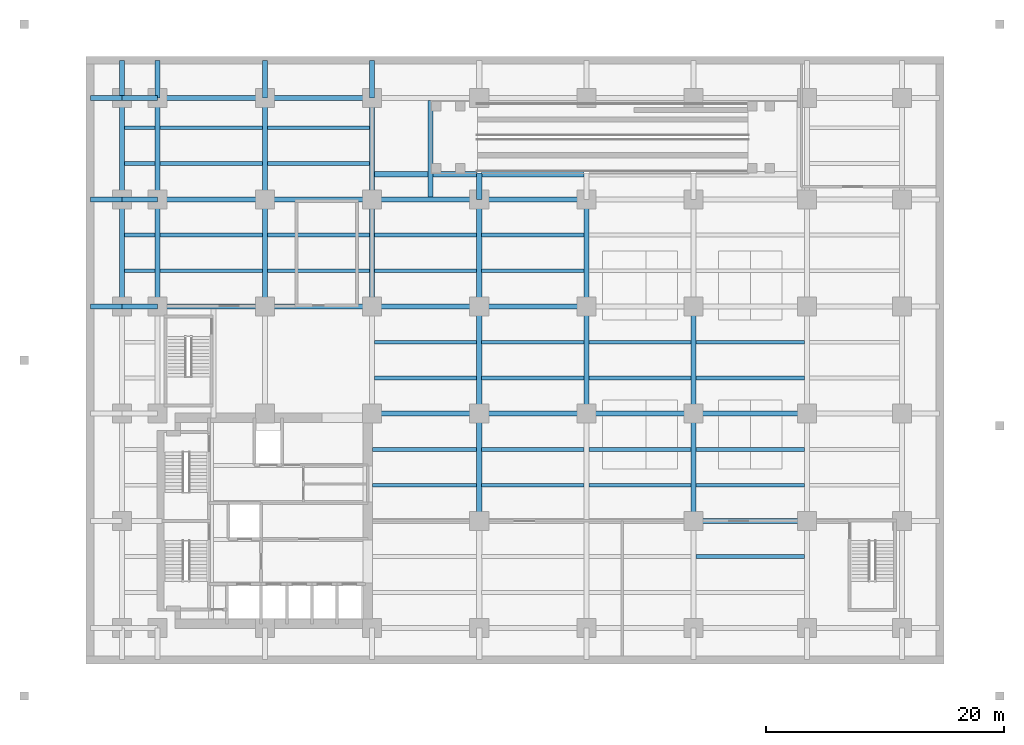
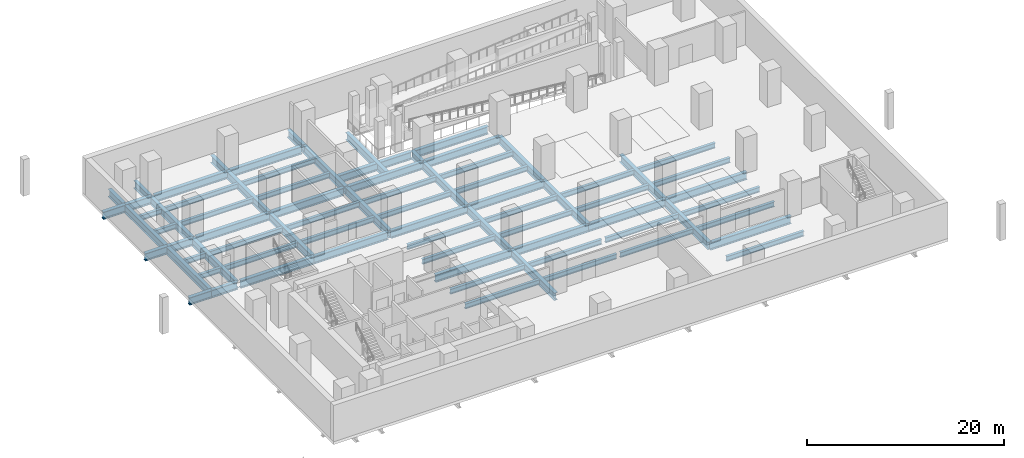
# One storey, part 2 of 10: 77 beams.
"""IFC4 building model written with IfcOpenShell, lengths in metres."""

from ifc_helpers import new_model, si_unit, direction, frame, origin, origin_2d, place, context, subcontext, project, spatial, i_section, extrude, material, material_profile, profile_set, type_object, element, save


model = new_model("IFC4")

# Units and contexts
model_context = context("Model", 3, precision=1e-05, world=origin(), true_north=direction((0.0, 1.0)))
body_context = subcontext(model_context, "Body", "Model", "MODEL_VIEW")
ifc_project = project(units=[si_unit("LENGTHUNIT", "METRE"), si_unit("AREAUNIT", "SQUARE_METRE"), si_unit("VOLUMEUNIT", "CUBIC_METRE"), si_unit("PLANEANGLEUNIT", "RADIAN"), si_unit("MASSUNIT", "GRAM", prefix="KILO")], contexts=[model_context])

# Site, building, storey
site_placement = place(None, origin())
site = spatial("IfcSite", under=ifc_project, at=site_placement, CompositionType="ELEMENT")
building_placement = place(site_placement, origin())
building = spatial("IfcBuilding", under=site, at=building_placement, Name="Mawjdan Bourse Tower", CompositionType="ELEMENT")
storey_placement = place(building_placement, frame((0.0, 0.0, -9.0)))
storey = spatial("IfcBuildingStorey", under=building, at=storey_placement, Name="B02", CompositionType="ELEMENT", Elevation=-9.0)

# Beams
ifc_material_1 = material(Name="Structural Steel S460", Category="steel")
ifc_material_profile_1 = material_profile(ifc_material_1, i_section(OverallWidth=0.423095703125, OverallDepth=0.93994140625, WebThickness=0.02392578125, FlangeThickness=0.042724609375, FilletRadius=0.0341796875, at=origin_2d()), Name="W36X302")
ifc_profile_set_1 = profile_set([ifc_material_profile_1], Name="Structural Steel S460")
beam_type_1 = type_object("IfcBeamType", Name="GRD-W36X302", PredefinedType="BEAM", material=ifc_profile_set_1)
beam_1_placement = place(storey_placement, frame((24.0, 41.10009765625, -0.820068359375), z_axis=(1.0, 0.0, 0.0), x_axis=(0.0, 1.0, 0.0)))
element("IfcBeam", 1, at=beam_1_placement, inside=storey, type_object=beam_type_1, Name="B02 Ramp Opening South Trimmer 002", PredefinedType="BEAM", context=body_context, shape_type="SweptSolid", body=[
    extrude(i_section(OverallWidth=0.423095703125, OverallDepth=0.93994140625, WebThickness=0.02392578125, FlangeThickness=0.042724609375, FilletRadius=0.0341796875, at=origin_2d()), origin(), (0.0, 0.0, 1.0), 8.79052734375),
])
beam_2_placement = place(storey_placement, frame((33.20947265625, 41.10009765625, -0.820068359375), z_axis=(1.0, 0.0, 0.0), x_axis=(0.0, 1.0, 0.0)))
element("IfcBeam", 2, at=beam_2_placement, inside=storey, type_object=beam_type_1, Name="B02 Ramp Opening South Trimmer S2", PredefinedType="BEAM", context=body_context, shape_type="SweptSolid", body=[
    extrude(i_section(OverallWidth=0.423095703125, OverallDepth=0.93994140625, WebThickness=0.02392578125, FlangeThickness=0.042724609375, FilletRadius=0.0341796875, at=origin_2d()), origin(), (0.0, 0.0, 1.0), 8.5810546875),
])
beam_3_placement = place(storey_placement, frame((28.89990234375, 39.20947265625, -0.820068359375), z_axis=(0.0, 1.0, 0.0), x_axis=(-1.0, 0.0, 0.0)))
element("IfcBeam", 3, at=beam_3_placement, inside=storey, type_object=beam_type_1, Name="B02 Ramp Opening West Trimmer 003", PredefinedType="BEAM", context=body_context, shape_type="SweptSolid", body=[
    extrude(i_section(OverallWidth=0.423095703125, OverallDepth=0.93994140625, WebThickness=0.02392578125, FlangeThickness=0.042724609375, FilletRadius=0.0341796875, at=origin_2d()), origin(), (0.0, 0.0, 1.0), 8.0810546875),
])
beam_4_placement = place(storey_placement, frame((3.0, 30.0, -0.820068359375), z_axis=(0.0, 1.0, 0.0), x_axis=(-1.0, 0.0, 0.0)))
element("IfcBeam", 4, at=beam_4_placement, inside=storey, type_object=beam_type_1, Name="B02 Podium Primary Girder 010", PredefinedType="BEAM", context=body_context, shape_type="SweptSolid", body=[
    extrude(i_section(OverallWidth=0.423095703125, OverallDepth=0.93994140625, WebThickness=0.02392578125, FlangeThickness=0.042724609375, FilletRadius=0.0341796875, at=origin_2d()), origin(), (0.0, 0.0, 1.0), 9.0),
])
beam_5_placement = place(storey_placement, frame((3.0, 39.0, -0.820068359375), z_axis=(0.0, 1.0, 0.0), x_axis=(-1.0, 0.0, 0.0)))
element("IfcBeam", 5, at=beam_5_placement, inside=storey, type_object=beam_type_1, Name="B02 Podium Primary Girder 011", PredefinedType="BEAM", context=body_context, shape_type="SweptSolid", body=[
    extrude(i_section(OverallWidth=0.423095703125, OverallDepth=0.93994140625, WebThickness=0.02392578125, FlangeThickness=0.042724609375, FilletRadius=0.0341796875, at=origin_2d()), origin(), (0.0, 0.0, 1.0), 8.5),
])
beam_6_placement = place(storey_placement, frame((3.0, 47.5, -0.820068359375), z_axis=(0.0, 1.0, 0.0), x_axis=(-1.0, 0.0, 0.0)))
element("IfcBeam", 6, at=beam_6_placement, inside=storey, type_object=beam_type_1, Name="B02 Podium Primary Girder 012", PredefinedType="BEAM", context=body_context, shape_type="SweptSolid", body=[
    extrude(i_section(OverallWidth=0.423095703125, OverallDepth=0.93994140625, WebThickness=0.02392578125, FlangeThickness=0.042724609375, FilletRadius=0.0341796875, at=origin_2d()), origin(), (0.0, 0.0, 1.0), 3.14990234375),
])
beam_7_placement = place(storey_placement, frame((6.0, 30.0, -0.820068359375), z_axis=(0.0, 1.0, 0.0), x_axis=(-1.0, 0.0, 0.0)))
element("IfcBeam", 7, at=beam_7_placement, inside=storey, type_object=beam_type_1, Name="B02 Podium Primary Girder 015", PredefinedType="BEAM", context=body_context, shape_type="SweptSolid", body=[
    extrude(i_section(OverallWidth=0.423095703125, OverallDepth=0.93994140625, WebThickness=0.02392578125, FlangeThickness=0.042724609375, FilletRadius=0.0341796875, at=origin_2d()), origin(), (0.0, 0.0, 1.0), 9.0),
])
beam_8_placement = place(storey_placement, frame((6.0, 39.0, -0.820068359375), z_axis=(0.0, 1.0, 0.0), x_axis=(-1.0, 0.0, 0.0)))
element("IfcBeam", 8, at=beam_8_placement, inside=storey, type_object=beam_type_1, Name="B02 Podium Primary Girder 016", PredefinedType="BEAM", context=body_context, shape_type="SweptSolid", body=[
    extrude(i_section(OverallWidth=0.423095703125, OverallDepth=0.93994140625, WebThickness=0.02392578125, FlangeThickness=0.042724609375, FilletRadius=0.0341796875, at=origin_2d()), origin(), (0.0, 0.0, 1.0), 8.5),
])
beam_9_placement = place(storey_placement, frame((6.0, 47.5, -0.820068359375), z_axis=(0.0, 1.0, 0.0), x_axis=(-1.0, 0.0, 0.0)))
element("IfcBeam", 9, at=beam_9_placement, inside=storey, type_object=beam_type_1, Name="B02 Podium Primary Girder 017", PredefinedType="BEAM", context=body_context, shape_type="SweptSolid", body=[
    extrude(i_section(OverallWidth=0.423095703125, OverallDepth=0.93994140625, WebThickness=0.02392578125, FlangeThickness=0.042724609375, FilletRadius=0.0341796875, at=origin_2d()), origin(), (0.0, 0.0, 1.0), 3.14990234375),
])
beam_10_placement = place(storey_placement, frame((15.0, 30.0, -0.820068359375), z_axis=(0.0, 1.0, 0.0), x_axis=(-1.0, 0.0, 0.0)))
element("IfcBeam", 10, at=beam_10_placement, inside=storey, type_object=beam_type_1, Name="B02 Podium Primary Girder 020", PredefinedType="BEAM", context=body_context, shape_type="SweptSolid", body=[
    extrude(i_section(OverallWidth=0.423095703125, OverallDepth=0.93994140625, WebThickness=0.02392578125, FlangeThickness=0.042724609375, FilletRadius=0.0341796875, at=origin_2d()), origin(), (0.0, 0.0, 1.0), 9.0),
])
beam_11_placement = place(storey_placement, frame((15.0, 39.0, -0.820068359375), z_axis=(0.0, 1.0, 0.0), x_axis=(-1.0, 0.0, 0.0)))
element("IfcBeam", 11, at=beam_11_placement, inside=storey, type_object=beam_type_1, Name="B02 Podium Primary Girder 021", PredefinedType="BEAM", context=body_context, shape_type="SweptSolid", body=[
    extrude(i_section(OverallWidth=0.423095703125, OverallDepth=0.93994140625, WebThickness=0.02392578125, FlangeThickness=0.042724609375, FilletRadius=0.0341796875, at=origin_2d()), origin(), (0.0, 0.0, 1.0), 8.5),
])
beam_12_placement = place(storey_placement, frame((15.0, 47.5, -0.820068359375), z_axis=(0.0, 1.0, 0.0), x_axis=(-1.0, 0.0, 0.0)))
element("IfcBeam", 12, at=beam_12_placement, inside=storey, type_object=beam_type_1, Name="B02 Podium Primary Girder 022", PredefinedType="BEAM", context=body_context, shape_type="SweptSolid", body=[
    extrude(i_section(OverallWidth=0.423095703125, OverallDepth=0.93994140625, WebThickness=0.02392578125, FlangeThickness=0.042724609375, FilletRadius=0.0341796875, at=origin_2d()), origin(), (0.0, 0.0, 1.0), 3.14990234375),
])
beam_13_placement = place(storey_placement, frame((24.0, 30.0, -0.820068359375), z_axis=(0.0, 1.0, 0.0), x_axis=(-1.0, 0.0, 0.0)))
element("IfcBeam", 13, at=beam_13_placement, inside=storey, type_object=beam_type_1, Name="B02 Podium Primary Girder 025", PredefinedType="BEAM", context=body_context, shape_type="SweptSolid", body=[
    extrude(i_section(OverallWidth=0.423095703125, OverallDepth=0.93994140625, WebThickness=0.02392578125, FlangeThickness=0.042724609375, FilletRadius=0.0341796875, at=origin_2d()), origin(), (0.0, 0.0, 1.0), 9.0),
])
beam_14_placement = place(storey_placement, frame((24.0, 39.0, -0.820068359375), z_axis=(0.0, 1.0, 0.0), x_axis=(-1.0, 0.0, 0.0)))
element("IfcBeam", 14, at=beam_14_placement, inside=storey, type_object=beam_type_1, Name="B02 Podium Primary Girder 026", PredefinedType="BEAM", context=body_context, shape_type="SweptSolid", body=[
    extrude(i_section(OverallWidth=0.423095703125, OverallDepth=0.93994140625, WebThickness=0.02392578125, FlangeThickness=0.042724609375, FilletRadius=0.0341796875, at=origin_2d()), origin(), (0.0, 0.0, 1.0), 8.5),
])
beam_15_placement = place(storey_placement, frame((24.0, 47.5, -0.820068359375), z_axis=(0.0, 1.0, 0.0), x_axis=(-1.0, 0.0, 0.0)))
element("IfcBeam", 15, at=beam_15_placement, inside=storey, type_object=beam_type_1, Name="B02 Podium Primary Girder 027", PredefinedType="BEAM", context=body_context, shape_type="SweptSolid", body=[
    extrude(i_section(OverallWidth=0.423095703125, OverallDepth=0.93994140625, WebThickness=0.02392578125, FlangeThickness=0.042724609375, FilletRadius=0.0341796875, at=origin_2d()), origin(), (0.0, 0.0, 1.0), 3.14990234375),
])
for number, where, z_axis, x_axis, name in (
    (16, (33.0, 12.0, -0.820068359375), (0.0, 1.0, 0.0), (-1.0, 0.0, 0.0), "B02 Podium Primary Girder 030"),
    (17, (33.0, 21.0, -0.820068359375), (0.0, 1.0, 0.0), (-1.0, 0.0, 0.0), "B02 Podium Primary Girder 031"),
    (18, (33.0, 30.0, -0.820068359375), (0.0, 1.0, 0.0), (-1.0, 0.0, 0.0), "B02 Podium Primary Girder 032"),
):
    element("IfcBeam", number, at=place(storey_placement, frame(where, z_axis=z_axis, x_axis=x_axis)), inside=storey, type_object=beam_type_1, Name=name, PredefinedType="BEAM", context=body_context, shape_type="SweptSolid", body=[
        extrude(i_section(OverallWidth=0.423095703125, OverallDepth=0.93994140625, WebThickness=0.02392578125, FlangeThickness=0.042724609375, FilletRadius=0.0341796875, at=origin_2d()), origin(), (0.0, 0.0, 1.0), 9.0),
    ])
beam_16_placement = place(storey_placement, frame((33.0, 39.0, -0.820068359375), z_axis=(0.0, 1.0, 0.0), x_axis=(-1.0, 0.0, 0.0)))
element("IfcBeam", 19, at=beam_16_placement, inside=storey, type_object=beam_type_1, Name="B02 Podium Primary Girder 033", PredefinedType="BEAM", context=body_context, shape_type="SweptSolid", body=[
    extrude(i_section(OverallWidth=0.423095703125, OverallDepth=0.93994140625, WebThickness=0.02392578125, FlangeThickness=0.042724609375, FilletRadius=0.0341796875, at=origin_2d()), origin(), (0.0, 0.0, 1.0), 2.199951171875),
])
for number, where, z_axis, x_axis, name in (
    (20, (42.0, 21.0, -0.820068359375), (0.0, 1.0, 0.0), (-1.0, 0.0, 0.0), "B02 Podium Primary Girder 037"),
    (21, (42.0, 30.0, -0.820068359375), (0.0, 1.0, 0.0), (-1.0, 0.0, 0.0), "B02 Podium Primary Girder 038"),
    (22, (51.0, 12.0, -0.820068359375), (0.0, 1.0, 0.0), (-1.0, 0.0, 0.0), "B02 Podium Primary Girder 043"),
    (23, (51.0, 21.0, -0.820068359375), (0.0, 1.0, 0.0), (-1.0, 0.0, 0.0), "B02 Podium Primary Girder 044"),
):
    element("IfcBeam", number, at=place(storey_placement, frame(where, z_axis=z_axis, x_axis=x_axis)), inside=storey, type_object=beam_type_1, Name=name, PredefinedType="BEAM", context=body_context, shape_type="SweptSolid", body=[
        extrude(i_section(OverallWidth=0.423095703125, OverallDepth=0.93994140625, WebThickness=0.02392578125, FlangeThickness=0.042724609375, FilletRadius=0.0341796875, at=origin_2d()), origin(), (0.0, 0.0, 1.0), 9.0),
    ])
beam_17_placement = place(storey_placement, frame((51.0, 12.0, -0.820068359375), z_axis=(1.0, 0.0, 0.0), x_axis=(0.0, 1.0, 0.0)))
element("IfcBeam", 24, at=beam_17_placement, inside=storey, type_object=beam_type_1, Name="B02 Podium Tie Girder 074", PredefinedType="BEAM", context=body_context, shape_type="SweptSolid", body=[
    extrude(i_section(OverallWidth=0.423095703125, OverallDepth=0.93994140625, WebThickness=0.02392578125, FlangeThickness=0.042724609375, FilletRadius=0.0341796875, at=origin_2d()), origin(), (0.0, 0.0, 1.0), 9.5),
])
for number, where, z_axis, x_axis, name in (
    (25, (24.0, 21.0, -0.820068359375), (1.0, 0.0, 0.0), (0.0, 1.0, 0.0), "B02 Podium Tie Girder 079"),
    (26, (33.0, 21.0, -0.820068359375), (1.0, 0.0, 0.0), (0.0, 1.0, 0.0), "B02 Podium Tie Girder 080"),
    (27, (42.0, 21.0, -0.820068359375), (1.0, 0.0, 0.0), (0.0, 1.0, 0.0), "B02 Podium Tie Girder 081"),
):
    element("IfcBeam", number, at=place(storey_placement, frame(where, z_axis=z_axis, x_axis=x_axis)), inside=storey, type_object=beam_type_1, Name=name, PredefinedType="BEAM", context=body_context, shape_type="SweptSolid", body=[
        extrude(i_section(OverallWidth=0.423095703125, OverallDepth=0.93994140625, WebThickness=0.02392578125, FlangeThickness=0.042724609375, FilletRadius=0.0341796875, at=origin_2d()), origin(), (0.0, 0.0, 1.0), 9.0),
    ])
beam_18_placement = place(storey_placement, frame((51.0, 21.0, -0.820068359375), z_axis=(1.0, 0.0, 0.0), x_axis=(0.0, 1.0, 0.0)))
element("IfcBeam", 28, at=beam_18_placement, inside=storey, type_object=beam_type_1, Name="B02 Podium Tie Girder 082", PredefinedType="BEAM", context=body_context, shape_type="SweptSolid", body=[
    extrude(i_section(OverallWidth=0.423095703125, OverallDepth=0.93994140625, WebThickness=0.02392578125, FlangeThickness=0.042724609375, FilletRadius=0.0341796875, at=origin_2d()), origin(), (0.0, 0.0, 1.0), 9.5),
])
beam_19_placement = place(storey_placement, frame((0.35009765625, 30.0, -0.820068359375), z_axis=(1.0, 0.0, 0.0), x_axis=(0.0, 1.0, 0.0)))
element("IfcBeam", 29, at=beam_19_placement, inside=storey, type_object=beam_type_1, Name="B02 Podium Tie Girder 085", PredefinedType="BEAM", context=body_context, shape_type="SweptSolid", body=[
    extrude(i_section(OverallWidth=0.423095703125, OverallDepth=0.93994140625, WebThickness=0.02392578125, FlangeThickness=0.042724609375, FilletRadius=0.0341796875, at=origin_2d()), origin(), (0.0, 0.0, 1.0), 2.64990234375),
])
beam_20_placement = place(storey_placement, frame((3.0, 30.0, -0.820068359375), z_axis=(1.0, 0.0, 0.0), x_axis=(0.0, 1.0, 0.0)))
element("IfcBeam", 30, at=beam_20_placement, inside=storey, type_object=beam_type_1, Name="B02 Podium Tie Girder 086", PredefinedType="BEAM", context=body_context, shape_type="SweptSolid", body=[
    extrude(i_section(OverallWidth=0.423095703125, OverallDepth=0.93994140625, WebThickness=0.02392578125, FlangeThickness=0.042724609375, FilletRadius=0.0341796875, at=origin_2d()), origin(), (0.0, 0.0, 1.0), 3.0),
])
for number, where, z_axis, x_axis, name in (
    (31, (6.35009765625, 30.0, -0.820068359375), (1.0, 0.0, 0.0), (0.0, 1.0, 0.0), "B02 Podium Tie Girder 087"),
    (32, (15.0, 30.0, -0.820068359375), (1.0, 0.0, 0.0), (0.0, 1.0, 0.0), "B02 Podium Tie Girder 088"),
):
    element("IfcBeam", number, at=place(storey_placement, frame(where, z_axis=z_axis, x_axis=x_axis)), inside=storey, type_object=beam_type_1, Name=name, PredefinedType="BEAM", context=body_context, shape_type="SweptSolid", body=[
        extrude(i_section(OverallWidth=0.423095703125, OverallDepth=0.93994140625, WebThickness=0.02392578125, FlangeThickness=0.042724609375, FilletRadius=0.0341796875, at=origin_2d()), origin(), (0.0, 0.0, 1.0), 8.64990234375),
    ])
for number, where, z_axis, x_axis, name in (
    (33, (24.0, 30.0, -0.820068359375), (1.0, 0.0, 0.0), (0.0, 1.0, 0.0), "B02 Podium Tie Girder 089"),
    (34, (33.0, 30.0, -0.820068359375), (1.0, 0.0, 0.0), (0.0, 1.0, 0.0), "B02 Podium Tie Girder 090"),
):
    element("IfcBeam", number, at=place(storey_placement, frame(where, z_axis=z_axis, x_axis=x_axis)), inside=storey, type_object=beam_type_1, Name=name, PredefinedType="BEAM", context=body_context, shape_type="SweptSolid", body=[
        extrude(i_section(OverallWidth=0.423095703125, OverallDepth=0.93994140625, WebThickness=0.02392578125, FlangeThickness=0.042724609375, FilletRadius=0.0341796875, at=origin_2d()), origin(), (0.0, 0.0, 1.0), 9.0),
    ])
beam_21_placement = place(storey_placement, frame((0.35009765625, 39.0, -0.820068359375), z_axis=(1.0, 0.0, 0.0), x_axis=(0.0, 1.0, 0.0)))
element("IfcBeam", 35, at=beam_21_placement, inside=storey, type_object=beam_type_1, Name="B02 Podium Tie Girder 095", PredefinedType="BEAM", context=body_context, shape_type="SweptSolid", body=[
    extrude(i_section(OverallWidth=0.423095703125, OverallDepth=0.93994140625, WebThickness=0.02392578125, FlangeThickness=0.042724609375, FilletRadius=0.0341796875, at=origin_2d()), origin(), (0.0, 0.0, 1.0), 2.64990234375),
])
beam_22_placement = place(storey_placement, frame((3.0, 39.0, -0.820068359375), z_axis=(1.0, 0.0, 0.0), x_axis=(0.0, 1.0, 0.0)))
element("IfcBeam", 36, at=beam_22_placement, inside=storey, type_object=beam_type_1, Name="B02 Podium Tie Girder 096", PredefinedType="BEAM", context=body_context, shape_type="SweptSolid", body=[
    extrude(i_section(OverallWidth=0.423095703125, OverallDepth=0.93994140625, WebThickness=0.02392578125, FlangeThickness=0.042724609375, FilletRadius=0.0341796875, at=origin_2d()), origin(), (0.0, 0.0, 1.0), 3.0),
])
for number, where, z_axis, x_axis, name in (
    (37, (6.35009765625, 39.0, -0.820068359375), (1.0, 0.0, 0.0), (0.0, 1.0, 0.0), "B02 Podium Tie Girder 097"),
    (38, (15.0, 39.0, -0.820068359375), (1.0, 0.0, 0.0), (0.0, 1.0, 0.0), "B02 Podium Tie Girder 098"),
):
    element("IfcBeam", number, at=place(storey_placement, frame(where, z_axis=z_axis, x_axis=x_axis)), inside=storey, type_object=beam_type_1, Name=name, PredefinedType="BEAM", context=body_context, shape_type="SweptSolid", body=[
        extrude(i_section(OverallWidth=0.423095703125, OverallDepth=0.93994140625, WebThickness=0.02392578125, FlangeThickness=0.042724609375, FilletRadius=0.0341796875, at=origin_2d()), origin(), (0.0, 0.0, 1.0), 8.64990234375),
    ])
for number, where, z_axis, x_axis, name in (
    (39, (24.0, 39.0, -0.820068359375), (1.0, 0.0, 0.0), (0.0, 1.0, 0.0), "B02 Podium Tie Girder 099"),
    (40, (33.0, 39.0, -0.820068359375), (1.0, 0.0, 0.0), (0.0, 1.0, 0.0), "B02 Podium Tie Girder 100"),
):
    element("IfcBeam", number, at=place(storey_placement, frame(where, z_axis=z_axis, x_axis=x_axis)), inside=storey, type_object=beam_type_1, Name=name, PredefinedType="BEAM", context=body_context, shape_type="SweptSolid", body=[
        extrude(i_section(OverallWidth=0.423095703125, OverallDepth=0.93994140625, WebThickness=0.02392578125, FlangeThickness=0.042724609375, FilletRadius=0.0341796875, at=origin_2d()), origin(), (0.0, 0.0, 1.0), 9.0),
    ])
beam_23_placement = place(storey_placement, frame((0.35009765625, 47.5, -0.820068359375), z_axis=(1.0, 0.0, 0.0), x_axis=(0.0, 1.0, 0.0)))
element("IfcBeam", 41, at=beam_23_placement, inside=storey, type_object=beam_type_1, Name="B02 Podium Tie Girder 105", PredefinedType="BEAM", context=body_context, shape_type="SweptSolid", body=[
    extrude(i_section(OverallWidth=0.423095703125, OverallDepth=0.93994140625, WebThickness=0.02392578125, FlangeThickness=0.042724609375, FilletRadius=0.0341796875, at=origin_2d()), origin(), (0.0, 0.0, 1.0), 2.64990234375),
])
beam_24_placement = place(storey_placement, frame((3.0, 47.5, -0.820068359375), z_axis=(1.0, 0.0, 0.0), x_axis=(0.0, 1.0, 0.0)))
element("IfcBeam", 42, at=beam_24_placement, inside=storey, type_object=beam_type_1, Name="B02 Podium Tie Girder 106", PredefinedType="BEAM", context=body_context, shape_type="SweptSolid", body=[
    extrude(i_section(OverallWidth=0.423095703125, OverallDepth=0.93994140625, WebThickness=0.02392578125, FlangeThickness=0.042724609375, FilletRadius=0.0341796875, at=origin_2d()), origin(), (0.0, 0.0, 1.0), 3.0),
])
for number, where, z_axis, x_axis, name in (
    (43, (6.35009765625, 47.5, -0.820068359375), (1.0, 0.0, 0.0), (0.0, 1.0, 0.0), "B02 Podium Tie Girder 107"),
    (44, (15.0, 47.5, -0.820068359375), (1.0, 0.0, 0.0), (0.0, 1.0, 0.0), "B02 Podium Tie Girder 108"),
):
    element("IfcBeam", number, at=place(storey_placement, frame(where, z_axis=z_axis, x_axis=x_axis)), inside=storey, type_object=beam_type_1, Name=name, PredefinedType="BEAM", context=body_context, shape_type="SweptSolid", body=[
        extrude(i_section(OverallWidth=0.423095703125, OverallDepth=0.93994140625, WebThickness=0.02392578125, FlangeThickness=0.042724609375, FilletRadius=0.0341796875, at=origin_2d()), origin(), (0.0, 0.0, 1.0), 8.64990234375),
    ])
ifc_material_2 = material(Name="Structural Steel S355", Category="steel")
ifc_material_profile_2 = material_profile(ifc_material_2, i_section(OverallWidth=0.324951171875, OverallDepth=0.616943359375, WebThickness=0.013916015625, FlangeThickness=0.021484375, FilletRadius=0.017333984375, at=origin_2d()), Name="W24X117")
ifc_profile_set_2 = profile_set([ifc_material_profile_2], Name="Structural Steel S355")
beam_type_2 = type_object("IfcBeamType", Name="JST-W24X117", PredefinedType="JOIST", material=ifc_profile_set_2)
beam_25_placement = place(storey_placement, frame((51.20947265625, 9.0, -0.658447265625), z_axis=(1.0, 0.0, 0.0), x_axis=(0.0, 1.0, 0.0)))
element("IfcBeam", 45, at=beam_25_placement, inside=storey, type_object=beam_type_2, Name="B02 Composite Floor Joist 124", PredefinedType="JOIST", context=body_context, shape_type="SweptSolid", body=[
    extrude(i_section(OverallWidth=0.324951171875, OverallDepth=0.616943359375, WebThickness=0.013916015625, FlangeThickness=0.021484375, FilletRadius=0.017333984375, at=origin_2d()), origin(), (0.0, 0.0, 1.0), 9.0810546875),
])
beam_26_placement = place(storey_placement, frame((24.0400390625, 15.0, -0.658447265625), z_axis=(1.0, 0.0, 0.0), x_axis=(0.0, 1.0, 0.0)))
element("IfcBeam", 46, at=beam_26_placement, inside=storey, type_object=beam_type_2, Name="B02 Composite Floor Joist 126", PredefinedType="JOIST", context=body_context, shape_type="SweptSolid", body=[
    extrude(i_section(OverallWidth=0.324951171875, OverallDepth=0.616943359375, WebThickness=0.013916015625, FlangeThickness=0.021484375, FilletRadius=0.017333984375, at=origin_2d()), origin(), (0.0, 0.0, 1.0), 8.75048828125),
])
for number, where, z_axis, x_axis, name in (
    (47, (33.20947265625, 15.0, -0.658447265625), (1.0, 0.0, 0.0), (0.0, 1.0, 0.0), "B02 Composite Floor Joist 127"),
    (48, (42.20947265625, 15.0, -0.658447265625), (1.0, 0.0, 0.0), (0.0, 1.0, 0.0), "B02 Composite Floor Joist 128"),
):
    element("IfcBeam", number, at=place(storey_placement, frame(where, z_axis=z_axis, x_axis=x_axis)), inside=storey, type_object=beam_type_2, Name=name, PredefinedType="JOIST", context=body_context, shape_type="SweptSolid", body=[
        extrude(i_section(OverallWidth=0.324951171875, OverallDepth=0.616943359375, WebThickness=0.013916015625, FlangeThickness=0.021484375, FilletRadius=0.017333984375, at=origin_2d()), origin(), (0.0, 0.0, 1.0), 8.5810546875),
    ])
beam_27_placement = place(storey_placement, frame((51.20947265625, 15.0, -0.658447265625), z_axis=(1.0, 0.0, 0.0), x_axis=(0.0, 1.0, 0.0)))
element("IfcBeam", 49, at=beam_27_placement, inside=storey, type_object=beam_type_2, Name="B02 Composite Floor Joist 129", PredefinedType="JOIST", context=body_context, shape_type="SweptSolid", body=[
    extrude(i_section(OverallWidth=0.324951171875, OverallDepth=0.616943359375, WebThickness=0.013916015625, FlangeThickness=0.021484375, FilletRadius=0.017333984375, at=origin_2d()), origin(), (0.0, 0.0, 1.0), 9.0810546875),
])
beam_28_placement = place(storey_placement, frame((24.0400390625, 18.0, -0.658447265625), z_axis=(1.0, 0.0, 0.0), x_axis=(0.0, 1.0, 0.0)))
element("IfcBeam", 50, at=beam_28_placement, inside=storey, type_object=beam_type_2, Name="B02 Composite Floor Joist 132", PredefinedType="JOIST", context=body_context, shape_type="SweptSolid", body=[
    extrude(i_section(OverallWidth=0.324951171875, OverallDepth=0.616943359375, WebThickness=0.013916015625, FlangeThickness=0.021484375, FilletRadius=0.017333984375, at=origin_2d()), origin(), (0.0, 0.0, 1.0), 8.75048828125),
])
for number, where, z_axis, x_axis, name in (
    (51, (33.20947265625, 18.0, -0.658447265625), (1.0, 0.0, 0.0), (0.0, 1.0, 0.0), "B02 Composite Floor Joist 133"),
    (52, (42.20947265625, 18.0, -0.658447265625), (1.0, 0.0, 0.0), (0.0, 1.0, 0.0), "B02 Composite Floor Joist 134"),
):
    element("IfcBeam", number, at=place(storey_placement, frame(where, z_axis=z_axis, x_axis=x_axis)), inside=storey, type_object=beam_type_2, Name=name, PredefinedType="JOIST", context=body_context, shape_type="SweptSolid", body=[
        extrude(i_section(OverallWidth=0.324951171875, OverallDepth=0.616943359375, WebThickness=0.013916015625, FlangeThickness=0.021484375, FilletRadius=0.017333984375, at=origin_2d()), origin(), (0.0, 0.0, 1.0), 8.5810546875),
    ])
beam_29_placement = place(storey_placement, frame((51.20947265625, 18.0, -0.658447265625), z_axis=(1.0, 0.0, 0.0), x_axis=(0.0, 1.0, 0.0)))
element("IfcBeam", 53, at=beam_29_placement, inside=storey, type_object=beam_type_2, Name="B02 Composite Floor Joist 135", PredefinedType="JOIST", context=body_context, shape_type="SweptSolid", body=[
    extrude(i_section(OverallWidth=0.324951171875, OverallDepth=0.616943359375, WebThickness=0.013916015625, FlangeThickness=0.021484375, FilletRadius=0.017333984375, at=origin_2d()), origin(), (0.0, 0.0, 1.0), 9.0810546875),
])
for number, where, z_axis, x_axis, name in (
    (54, (24.20947265625, 24.0, -0.658447265625), (1.0, 0.0, 0.0), (0.0, 1.0, 0.0), "B02 Composite Floor Joist 138"),
    (55, (33.20947265625, 24.0, -0.658447265625), (1.0, 0.0, 0.0), (0.0, 1.0, 0.0), "B02 Composite Floor Joist 139"),
    (56, (42.20947265625, 24.0, -0.658447265625), (1.0, 0.0, 0.0), (0.0, 1.0, 0.0), "B02 Composite Floor Joist 140"),
):
    element("IfcBeam", number, at=place(storey_placement, frame(where, z_axis=z_axis, x_axis=x_axis)), inside=storey, type_object=beam_type_2, Name=name, PredefinedType="JOIST", context=body_context, shape_type="SweptSolid", body=[
        extrude(i_section(OverallWidth=0.324951171875, OverallDepth=0.616943359375, WebThickness=0.013916015625, FlangeThickness=0.021484375, FilletRadius=0.017333984375, at=origin_2d()), origin(), (0.0, 0.0, 1.0), 8.5810546875),
    ])
beam_30_placement = place(storey_placement, frame((51.20947265625, 24.0, -0.658447265625), z_axis=(1.0, 0.0, 0.0), x_axis=(0.0, 1.0, 0.0)))
element("IfcBeam", 57, at=beam_30_placement, inside=storey, type_object=beam_type_2, Name="B02 Composite Floor Joist 141", PredefinedType="JOIST", context=body_context, shape_type="SweptSolid", body=[
    extrude(i_section(OverallWidth=0.324951171875, OverallDepth=0.616943359375, WebThickness=0.013916015625, FlangeThickness=0.021484375, FilletRadius=0.017333984375, at=origin_2d()), origin(), (0.0, 0.0, 1.0), 9.0810546875),
])
for number, where, z_axis, x_axis, name in (
    (58, (24.20947265625, 27.0, -0.658447265625), (1.0, 0.0, 0.0), (0.0, 1.0, 0.0), "B02 Composite Floor Joist 144"),
    (59, (33.20947265625, 27.0, -0.658447265625), (1.0, 0.0, 0.0), (0.0, 1.0, 0.0), "B02 Composite Floor Joist 145"),
    (60, (42.20947265625, 27.0, -0.658447265625), (1.0, 0.0, 0.0), (0.0, 1.0, 0.0), "B02 Composite Floor Joist 146"),
):
    element("IfcBeam", number, at=place(storey_placement, frame(where, z_axis=z_axis, x_axis=x_axis)), inside=storey, type_object=beam_type_2, Name=name, PredefinedType="JOIST", context=body_context, shape_type="SweptSolid", body=[
        extrude(i_section(OverallWidth=0.324951171875, OverallDepth=0.616943359375, WebThickness=0.013916015625, FlangeThickness=0.021484375, FilletRadius=0.017333984375, at=origin_2d()), origin(), (0.0, 0.0, 1.0), 8.5810546875),
    ])
beam_31_placement = place(storey_placement, frame((51.20947265625, 27.0, -0.658447265625), z_axis=(1.0, 0.0, 0.0), x_axis=(0.0, 1.0, 0.0)))
element("IfcBeam", 61, at=beam_31_placement, inside=storey, type_object=beam_type_2, Name="B02 Composite Floor Joist 147", PredefinedType="JOIST", context=body_context, shape_type="SweptSolid", body=[
    extrude(i_section(OverallWidth=0.324951171875, OverallDepth=0.616943359375, WebThickness=0.013916015625, FlangeThickness=0.021484375, FilletRadius=0.017333984375, at=origin_2d()), origin(), (0.0, 0.0, 1.0), 9.0810546875),
])
beam_32_placement = place(storey_placement, frame((3.20947265625, 33.0, -0.658447265625), z_axis=(1.0, 0.0, 0.0), x_axis=(0.0, 1.0, 0.0)))
element("IfcBeam", 62, at=beam_32_placement, inside=storey, type_object=beam_type_2, Name="B02 Composite Floor Joist 149", PredefinedType="JOIST", context=body_context, shape_type="SweptSolid", body=[
    extrude(i_section(OverallWidth=0.324951171875, OverallDepth=0.616943359375, WebThickness=0.013916015625, FlangeThickness=0.021484375, FilletRadius=0.017333984375, at=origin_2d()), origin(), (0.0, 0.0, 1.0), 2.5810546875),
])
for number, where, z_axis, x_axis, name in (
    (63, (6.20947265625, 33.0, -0.658447265625), (1.0, 0.0, 0.0), (0.0, 1.0, 0.0), "B02 Composite Floor Joist 150"),
    (64, (15.20947265625, 33.0, -0.658447265625), (1.0, 0.0, 0.0), (0.0, 1.0, 0.0), "B02 Composite Floor Joist 151"),
    (65, (24.20947265625, 33.0, -0.658447265625), (1.0, 0.0, 0.0), (0.0, 1.0, 0.0), "B02 Composite Floor Joist 152"),
    (66, (33.20947265625, 33.0, -0.658447265625), (1.0, 0.0, 0.0), (0.0, 1.0, 0.0), "B02 Composite Floor Joist 153"),
):
    element("IfcBeam", number, at=place(storey_placement, frame(where, z_axis=z_axis, x_axis=x_axis)), inside=storey, type_object=beam_type_2, Name=name, PredefinedType="JOIST", context=body_context, shape_type="SweptSolid", body=[
        extrude(i_section(OverallWidth=0.324951171875, OverallDepth=0.616943359375, WebThickness=0.013916015625, FlangeThickness=0.021484375, FilletRadius=0.017333984375, at=origin_2d()), origin(), (0.0, 0.0, 1.0), 8.5810546875),
    ])
beam_33_placement = place(storey_placement, frame((3.20947265625, 36.0, -0.658447265625), z_axis=(1.0, 0.0, 0.0), x_axis=(0.0, 1.0, 0.0)))
element("IfcBeam", 67, at=beam_33_placement, inside=storey, type_object=beam_type_2, Name="B02 Composite Floor Joist 157", PredefinedType="JOIST", context=body_context, shape_type="SweptSolid", body=[
    extrude(i_section(OverallWidth=0.324951171875, OverallDepth=0.616943359375, WebThickness=0.013916015625, FlangeThickness=0.021484375, FilletRadius=0.017333984375, at=origin_2d()), origin(), (0.0, 0.0, 1.0), 2.5810546875),
])
for number, where, z_axis, x_axis, name in (
    (68, (6.20947265625, 36.0, -0.658447265625), (1.0, 0.0, 0.0), (0.0, 1.0, 0.0), "B02 Composite Floor Joist 158"),
    (69, (15.20947265625, 36.0, -0.658447265625), (1.0, 0.0, 0.0), (0.0, 1.0, 0.0), "B02 Composite Floor Joist 159"),
    (70, (24.20947265625, 36.0, -0.658447265625), (1.0, 0.0, 0.0), (0.0, 1.0, 0.0), "B02 Composite Floor Joist 160"),
    (71, (33.20947265625, 36.0, -0.658447265625), (1.0, 0.0, 0.0), (0.0, 1.0, 0.0), "B02 Composite Floor Joist 161"),
):
    element("IfcBeam", number, at=place(storey_placement, frame(where, z_axis=z_axis, x_axis=x_axis)), inside=storey, type_object=beam_type_2, Name=name, PredefinedType="JOIST", context=body_context, shape_type="SweptSolid", body=[
        extrude(i_section(OverallWidth=0.324951171875, OverallDepth=0.616943359375, WebThickness=0.013916015625, FlangeThickness=0.021484375, FilletRadius=0.017333984375, at=origin_2d()), origin(), (0.0, 0.0, 1.0), 8.5810546875),
    ])
beam_34_placement = place(storey_placement, frame((3.20947265625, 42.0, -0.658447265625), z_axis=(1.0, 0.0, 0.0), x_axis=(0.0, 1.0, 0.0)))
element("IfcBeam", 72, at=beam_34_placement, inside=storey, type_object=beam_type_2, Name="B02 Composite Floor Joist 165", PredefinedType="JOIST", context=body_context, shape_type="SweptSolid", body=[
    extrude(i_section(OverallWidth=0.324951171875, OverallDepth=0.616943359375, WebThickness=0.013916015625, FlangeThickness=0.021484375, FilletRadius=0.017333984375, at=origin_2d()), origin(), (0.0, 0.0, 1.0), 2.5810546875),
])
for number, where, z_axis, x_axis, name in (
    (73, (6.20947265625, 42.0, -0.658447265625), (1.0, 0.0, 0.0), (0.0, 1.0, 0.0), "B02 Composite Floor Joist 166"),
    (74, (15.20947265625, 42.0, -0.658447265625), (1.0, 0.0, 0.0), (0.0, 1.0, 0.0), "B02 Composite Floor Joist 167"),
):
    element("IfcBeam", number, at=place(storey_placement, frame(where, z_axis=z_axis, x_axis=x_axis)), inside=storey, type_object=beam_type_2, Name=name, PredefinedType="JOIST", context=body_context, shape_type="SweptSolid", body=[
        extrude(i_section(OverallWidth=0.324951171875, OverallDepth=0.616943359375, WebThickness=0.013916015625, FlangeThickness=0.021484375, FilletRadius=0.017333984375, at=origin_2d()), origin(), (0.0, 0.0, 1.0), 8.5810546875),
    ])
beam_35_placement = place(storey_placement, frame((3.20947265625, 45.0, -0.658447265625), z_axis=(1.0, 0.0, 0.0), x_axis=(0.0, 1.0, 0.0)))
element("IfcBeam", 75, at=beam_35_placement, inside=storey, type_object=beam_type_2, Name="B02 Composite Floor Joist 169", PredefinedType="JOIST", context=body_context, shape_type="SweptSolid", body=[
    extrude(i_section(OverallWidth=0.324951171875, OverallDepth=0.616943359375, WebThickness=0.013916015625, FlangeThickness=0.021484375, FilletRadius=0.017333984375, at=origin_2d()), origin(), (0.0, 0.0, 1.0), 2.5810546875),
])
for number, where, z_axis, x_axis, name in (
    (76, (6.20947265625, 45.0, -0.658447265625), (1.0, 0.0, 0.0), (0.0, 1.0, 0.0), "B02 Composite Floor Joist 170"),
    (77, (15.20947265625, 45.0, -0.658447265625), (1.0, 0.0, 0.0), (0.0, 1.0, 0.0), "B02 Composite Floor Joist 171"),
):
    element("IfcBeam", number, at=place(storey_placement, frame(where, z_axis=z_axis, x_axis=x_axis)), inside=storey, type_object=beam_type_2, Name=name, PredefinedType="JOIST", context=body_context, shape_type="SweptSolid", body=[
        extrude(i_section(OverallWidth=0.324951171875, OverallDepth=0.616943359375, WebThickness=0.013916015625, FlangeThickness=0.021484375, FilletRadius=0.017333984375, at=origin_2d()), origin(), (0.0, 0.0, 1.0), 8.5810546875),
    ])

save(model, "model.ifc")
